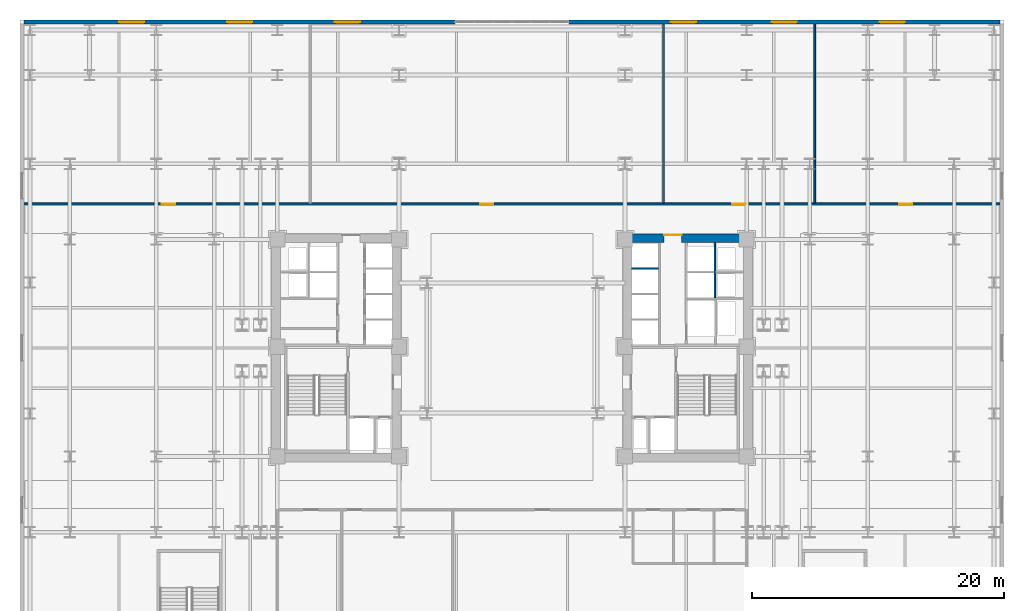
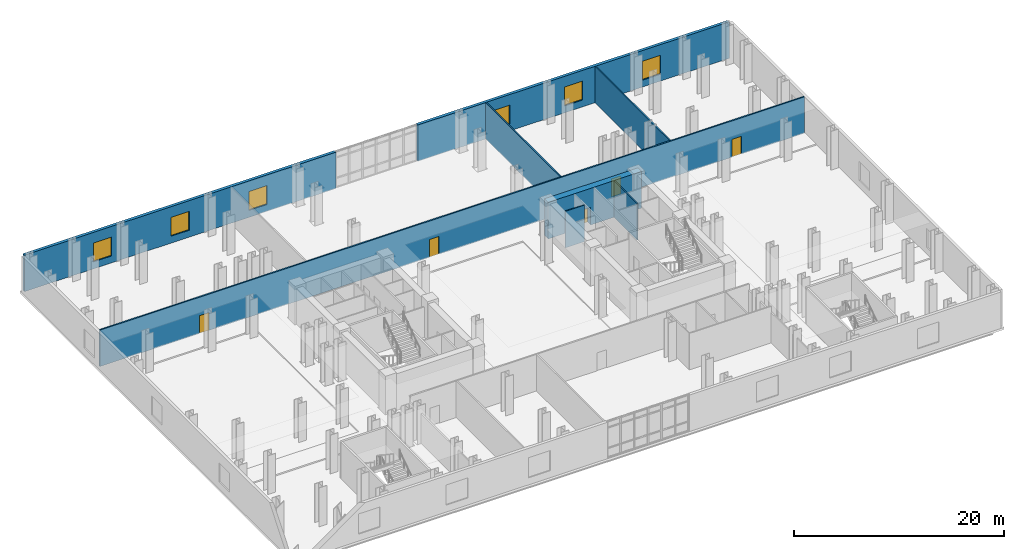
# One storey, part 10 of 15: 8 walls, 6 windows, 5 doors, 11 openings.
"""IFC4 building model written with IfcOpenShell, lengths in metres."""

import ifcopenshell
import ifcopenshell.guid

model = None  # the IFC model being written
_history = None  # IfcOwnerHistory: only IFC2X3 demands one
_inside = {}  # id of a spatial element -> (the spatial element, [elements in it])
_under = {}  # id of a project, library or spatial element -> (it, [spatial elements below it])
_declared = {}  # id of a project -> (the project, [libraries it declares])
_typed = {}  # id of a type object -> (the type object, [elements of that type])
_made_of = {}  # id of a material, layer set ... -> (it, [elements and type objects made of it])


def new_model(schema):
    """Start an empty IFC model of exactly this schema.

    Asked for "IFC4X3", IfcOpenShell would pick the latest addendum, in which some entities
    have other attributes; the version numbers below select the first issue.
    IFC2X3 requires an IfcOwnerHistory on every rooted entity: one is made here for all.
    """
    global model, _history
    if schema == "IFC4X3":
        model = ifcopenshell.file(schema_version=(4, 3, 0, 0))
    else:
        model = ifcopenshell.file(schema=schema)
    _inside.clear()
    _under.clear()
    _declared.clear()
    _typed.clear()
    _made_of.clear()
    _history = None
    if model.schema == "IFC2X3":
        org = make("IfcOrganization", Name="unknown")
        user = make(
            "IfcPersonAndOrganization",
            ThePerson=make("IfcPerson", FamilyName="unknown"),
            TheOrganization=org,
        )
        app = make(
            "IfcApplication",
            ApplicationDeveloper=org,
            Version="unknown",
            ApplicationFullName="unknown",
            ApplicationIdentifier="unknown",
        )
        _history = make(
            "IfcOwnerHistory",
            OwningUser=user,
            OwningApplication=app,
            ChangeAction="ADDED",
            CreationDate=0,
        )
    return model


def make(cls, **values):
    """One entity of the class cls with the attributes given. An attribute that is None is left unset."""
    return model.create_entity(
        cls, **{name: value for name, value in values.items() if value is not None}
    )


def rooted(cls, **values):
    """An entity with a GlobalId (a new one), such as an element, a storey or a relation."""
    return make(cls, GlobalId=ifcopenshell.guid.new(), OwnerHistory=_history, **values)


def si_unit(unit_type, name, prefix=None):
    """IfcSIUnit, for example si_unit("LENGTHUNIT", "METRE", prefix="MILLI")."""
    return make("IfcSIUnit", UnitType=unit_type, Prefix=prefix, Name=name)


def assignment(units):
    """IfcUnitAssignment: the units of a project."""
    return None if units is None else make("IfcUnitAssignment", Units=units)


def point(xyz):
    """IfcCartesianPoint."""
    return None if xyz is None else make("IfcCartesianPoint", Coordinates=xyz)


def direction(xyz):
    """IfcDirection."""
    return None if xyz is None else make("IfcDirection", DirectionRatios=xyz)


def frame(location, z_axis=None, x_axis=None):
    """IfcAxis2Placement3D, a coordinate frame: its origin and axes. An axis left out is left unset."""
    return make(
        "IfcAxis2Placement3D",
        Location=point(location),
        Axis=direction(z_axis),
        RefDirection=direction(x_axis),
    )


def frame_2d(location, x_axis=None):
    """IfcAxis2Placement2D, a coordinate frame in the plane: its origin and x axis."""
    return make(
        "IfcAxis2Placement2D", Location=point(location), RefDirection=direction(x_axis)
    )


def origin():
    """The frame at (0, 0, 0) with its axes left unset."""
    return frame((0.0, 0.0, 0.0))


def place(relative_to, where):
    """IfcLocalPlacement: puts the frame where relative to a parent placement (None: the world)."""
    return make(
        "IfcLocalPlacement", PlacementRelTo=relative_to, RelativePlacement=where
    )


def context(
    kind, dimensions, precision=None, world=None, true_north=None, identifier=None
):
    """IfcGeometricRepresentationContext, for example the 3D "Model" context."""
    return make(
        "IfcGeometricRepresentationContext",
        ContextIdentifier=identifier,
        ContextType=kind,
        CoordinateSpaceDimension=dimensions,
        Precision=precision,
        WorldCoordinateSystem=world,
        TrueNorth=true_north,
    )


def subcontext(parent, identifier, kind, view, scale=None):
    """IfcGeometricRepresentationSubContext, for example "Body" below "Model"."""
    return make(
        "IfcGeometricRepresentationSubContext",
        ContextIdentifier=identifier,
        ContextType=kind,
        ParentContext=parent,
        TargetScale=scale,
        TargetView=view,
    )


def project(units=None, contexts=None):
    """IfcProject with its units and contexts."""
    return rooted(
        "IfcProject",
        Name="project",
        RepresentationContexts=contexts,
        UnitsInContext=assignment(units),
    )


def spatial(cls, under=None, at=None, **own):
    """A site, building, storey or space (cls), placed at a placement, below another one or the project."""
    s = rooted(cls, ObjectPlacement=at, **own)
    if under is not None:
        _under.setdefault(under.id(), (under, []))[1].append(s)
    return s


def profile(cls, at=None, kind="AREA", **sizes):
    """A parametric profile (cls). Its sizes go by their IFC names, for example OverallWidth=200.0."""
    return make(cls, ProfileType=kind, Position=at, **sizes)


def rectangle(**sizes):
    """IfcRectangleProfileDef."""
    return profile("IfcRectangleProfileDef", **sizes)


def extrude(swept, where, along, depth):
    """IfcExtrudedAreaSolid: the profile swept, set in the frame where, extruded along a direction by depth."""
    return make(
        "IfcExtrudedAreaSolid",
        SweptArea=swept,
        Position=where,
        ExtrudedDirection=direction(along),
        Depth=depth,
    )


def shape(context_of_items, identifier, shape_type, items):
    """IfcShapeRepresentation: the items that make up one representation, for example the "Body"."""
    return make(
        "IfcShapeRepresentation",
        ContextOfItems=context_of_items,
        RepresentationIdentifier=identifier,
        RepresentationType=shape_type,
        Items=items,
    )


def material(Name=None, Category=None):
    """IfcMaterial."""
    return make("IfcMaterial", Name=Name, Category=Category)


def layer(
    of_material, thickness, ventilated=None, Name=None, Category=None, Priority=None
):
    """IfcMaterialLayer: one layer of a wall or slab, of a material (None: an air gap)."""
    return make(
        "IfcMaterialLayer",
        Material=of_material,
        LayerThickness=thickness,
        IsVentilated=ventilated,
        Name=Name,
        Category=Category,
        Priority=Priority,
    )


def layer_set(layers, Name=None):
    """IfcMaterialLayerSet."""
    return make("IfcMaterialLayerSet", MaterialLayers=layers, LayerSetName=Name)


def made_of(thing, what):
    """Note that an element or type object is made of a material, layer set ...; save() writes the relation."""
    if what is not None:
        _made_of.setdefault(what.id(), (what, []))[1].append(thing)
    return thing


def type_object(cls, material=None, **own):
    """A type object (cls), such as IfcWallType, which elements share."""
    return made_of(rooted(cls, **own), material)


def element(
    cls,
    number,
    at=None,
    inside=None,
    cuts=None,
    type_object=None,
    material=None,
    context=None,
    identifier="Body",
    shape_type=None,
    held_by="IfcProductDefinitionShape",
    body=None,
    shapes=None,
    **own,
):
    """One element of the class cls, such as IfcWall. Its Tag is "e" and its number.

    at: its placement. inside: the storey or other place that contains it. cuts: it is an
    opening in that element (IfcRelVoidsElement). A single representation is given by context,
    identifier, shape_type and body (its items); several are given by shapes. held_by: the class
    of the entity that holds the representations. save() writes the other relations.
    """
    e = rooted(cls, Tag="e%d" % number, ObjectPlacement=at, **own)
    if body is not None:
        shapes = [shape(context, identifier, shape_type, body)]
    if shapes is not None:
        e.Representation = make(held_by, Representations=shapes)
    if inside is not None:
        _inside.setdefault(inside.id(), (inside, []))[1].append(e)
    if cuts is not None:
        rooted(
            "IfcRelVoidsElement", RelatingBuildingElement=cuts, RelatedOpeningElement=e
        )
    if type_object is not None:
        _typed.setdefault(type_object.id(), (type_object, []))[1].append(e)
    return made_of(e, material)


def fill(opening, filler):
    """IfcRelFillsElement: the door or window that sits in an opening."""
    return rooted(
        "IfcRelFillsElement",
        RelatingOpeningElement=opening,
        RelatedBuildingElement=filler,
    )


def aggregate(whole, parts):
    """IfcRelAggregates: a whole, such as a stair, and the parts it consists of."""
    return rooted("IfcRelAggregates", RelatingObject=whole, RelatedObjects=parts)


def save(model, path):
    """Write the relations noted so far, then the file.

    IfcRelAggregates (storeys below a building ...), IfcRelContainedInSpatialStructure (elements
    in a storey), IfcRelDefinesByType, IfcRelAssociatesMaterial and IfcRelDeclares: one each for
    every whole, place, type object, material and project.
    """
    for whole, parts in _under.values():
        aggregate(whole, parts)
    for where, things in _inside.values():
        rooted(
            "IfcRelContainedInSpatialStructure",
            RelatedElements=things,
            RelatingStructure=where,
        )
    for kind, things in _typed.values():
        rooted("IfcRelDefinesByType", RelatedObjects=things, RelatingType=kind)
    for what, things in _made_of.values():
        rooted("IfcRelAssociatesMaterial", RelatedObjects=things, RelatingMaterial=what)
    for by, libraries in _declared.values():
        rooted("IfcRelDeclares", RelatingContext=by, RelatedDefinitions=libraries)
    model.write(path)


model = new_model("IFC4")

# Units and contexts
model_context = context("Model", 3, precision=1e-05, world=origin(), true_north=direction((0.0, 1.0)))
body_context = subcontext(model_context, "Body", "Model", "MODEL_VIEW")
ifc_project = project(units=[si_unit("LENGTHUNIT", "METRE"), si_unit("AREAUNIT", "SQUARE_METRE"), si_unit("VOLUMEUNIT", "CUBIC_METRE"), si_unit("PLANEANGLEUNIT", "RADIAN"), si_unit("MASSUNIT", "GRAM", prefix="KILO")], contexts=[model_context])

# Site, building, storey
site_placement = place(None, origin())
site = spatial("IfcSite", under=ifc_project, at=site_placement, CompositionType="ELEMENT")
building_placement = place(site_placement, origin())
building = spatial("IfcBuilding", under=site, at=building_placement, Name="Velakula Bourse", CompositionType="ELEMENT")
storey_placement = place(building_placement, frame((0.0, 0.0, 14.10009765625)))
storey = spatial("IfcBuildingStorey", under=building, at=storey_placement, Name="L03", CompositionType="ELEMENT", Elevation=14.10009765625)

# Wall, opening, door
ifc_material_1 = material(Name="Concrete M70 (fck 70 MPa)", Category="concrete")
ifc_layer_1 = layer(ifc_material_1, 0.699951171875, Name="Concrete M70 (fck 70 MPa)", Category="concrete")
ifc_layer_set_1 = layer_set([ifc_layer_1], Name="Concrete M70 (fck 70 MPa)")
wall_type_1 = type_object("IfcWallType", Name="WL-CORE-700", PredefinedType="SHEAR", material=ifc_layer_set_1)
wall_1_placement = place(storey_placement, frame((8.800048828125, 8.699951171875, 0.0), z_axis=(0.0, 0.0, 1.0), x_axis=(1.0, 0.0, 0.0)))
wall_1 = element("IfcWall", 1, at=wall_1_placement, inside=storey, type_object=wall_type_1, Name="L03 Core E Shear Wall N", PredefinedType="SHEAR", context=body_context, shape_type="SweptSolid", body=[
    extrude(rectangle(XDim=10.25, YDim=0.699951171875, at=frame_2d((5.125, 0.0))), origin(), (0.0, 0.0, 1.0), 4.25),
])
opening_1_placement = place(wall_1_placement, frame((3.25, 0.0, 0.0)))
opening_1 = element("IfcOpeningElement", 2, at=opening_1_placement, cuts=wall_1, Name="Opening D-LLE", PredefinedType="OPENING", context=body_context, shape_type="SweptSolid", body=[
    extrude(rectangle(XDim=1.39990234375, YDim=2.050048828125, at=frame_2d((0.699951171875, 1.02490234375))), frame((0.0, 0.35986328125, 0.0), z_axis=(0.0, -1.0, 0.0), x_axis=(1.0, 0.0, 0.0)), (0.0, 0.0, 1.0), 0.719970703125),
])
ifc_material_2 = material(Name="Fire-rated hardwood flush architectural door", Category="wood")
door_type_1 = type_object("IfcDoorType", Name="DR-DBL-FD60-1400", OperationType="DOUBLE_DOOR_SINGLE_SWING", PredefinedType="DOOR", material=ifc_material_2)
door_1_placement = place(opening_1_placement, origin())
door_1 = element("IfcDoor", 3, at=door_1_placement, inside=storey, type_object=door_type_1, Name="L03 Core E Lift Lobby Corridor Double Door", OperationType="DOUBLE_DOOR_SINGLE_SWING", OverallHeight=2.050048828125, OverallWidth=1.39990234375, PredefinedType="DOOR", context=body_context, shape_type="SweptSolid", body=[
    extrude(rectangle(XDim=1.39990234375, YDim=2.050048828125, at=frame_2d((0.699951171875, 1.02490234375))), frame((0.0, 0.294921875, 0.0), z_axis=(0.0, -1.0, 0.0), x_axis=(1.0, 0.0, 0.0)), (0.0, 0.0, 1.0), 0.050048828125),
])
fill(opening_1, door_1)

# Wall, openings, windows
ifc_material_3 = material(Name="Red kilned clay facing brick masonry", Category="masonry")
ifc_layer_2 = layer(ifc_material_3, 0.320068359375, Name="Red kilned clay facing brick masonry", Category="masonry")
ifc_layer_set_2 = layer_set([ifc_layer_2], Name="Red kilned clay facing brick masonry")
wall_type_2 = type_object("IfcWallType", Name="WL-EXT-BRK-320", PredefinedType="STANDARD", material=ifc_layer_set_2)
wall_2_placement = place(storey_placement, frame((-38.679931640625, 25.840087890625, 0.0), z_axis=(0.0, 0.0, 1.0), x_axis=(1.0, 0.0, 0.0)))
wall_2 = element("IfcWall", 4, at=wall_2_placement, inside=storey, type_object=wall_type_2, Name="L03 North Brick Facade Wall 1", PredefinedType="STANDARD", context=body_context, shape_type="SweptSolid", body=[
    extrude(rectangle(XDim=34.179931640625, YDim=0.320068359375, at=frame_2d((17.08984375, 0.0))), origin(), (0.0, 0.0, 1.0), 4.22998046875),
])
opening_2_placement = place(wall_2_placement, frame((7.544921875, 0.0, 0.800048828125)))
opening_2 = element("IfcOpeningElement", 5, at=opening_2_placement, cuts=wall_2, Name="Opening W-07", PredefinedType="OPENING", context=body_context, shape_type="SweptSolid", body=[
    extrude(rectangle(XDim=2.0, YDim=2.199951171875, at=frame_2d((1.0, 1.10009765625))), frame((0.0, 0.169921875, 0.0), z_axis=(0.0, -1.0, 0.0), x_axis=(1.0, 0.0, 0.0)), (0.0, 0.0, 1.0), 0.340087890625),
])
opening_3_placement = place(wall_2_placement, frame((16.090087890625, 0.0, 0.800048828125)))
opening_3 = element("IfcOpeningElement", 6, at=opening_3_placement, cuts=wall_2, Name="Opening W-07", PredefinedType="OPENING", context=body_context, shape_type="SweptSolid", body=[
    extrude(rectangle(XDim=2.0, YDim=2.199951171875, at=frame_2d((1.0, 1.10009765625))), frame((0.0, 0.169921875, 0.0), z_axis=(0.0, -1.0, 0.0), x_axis=(1.0, 0.0, 0.0)), (0.0, 0.0, 1.0), 0.340087890625),
])
opening_4_placement = place(wall_2_placement, frame((24.635009765625, 0.0, 0.800048828125)))
opening_4 = element("IfcOpeningElement", 7, at=opening_4_placement, cuts=wall_2, Name="Opening W-07", PredefinedType="OPENING", context=body_context, shape_type="SweptSolid", body=[
    extrude(rectangle(XDim=2.0, YDim=2.199951171875, at=frame_2d((1.0, 1.10009765625))), frame((0.0, 0.169921875, 0.0), z_axis=(0.0, -1.0, 0.0), x_axis=(1.0, 0.0, 0.0)), (0.0, 0.0, 1.0), 0.340087890625),
])
ifc_material_4 = material(Name="Double-glazed solar-control Low-E glass", Category="glass")
window_type = type_object("IfcWindowType", Name="WIN-POD-2000x2400", PartitioningType="DOUBLE_PANEL_VERTICAL", PredefinedType="WINDOW", material=ifc_material_4)
window_1_placement = place(opening_2_placement, origin())
window_1 = element("IfcWindow", 8, at=window_1_placement, inside=storey, type_object=window_type, Name="L03 Deep-Set Recessed Window 1", OverallHeight=2.199951171875, OverallWidth=2.0, PartitioningType="DOUBLE_PANEL_VERTICAL", PredefinedType="WINDOW", context=body_context, shape_type="SweptSolid", body=[
    extrude(rectangle(XDim=2.0, YDim=2.199951171875, at=frame_2d((1.0, 1.10009765625))), frame((0.0, 0.030029296875, 0.0), z_axis=(0.0, -1.0, 0.0), x_axis=(1.0, 0.0, 0.0)), (0.0, 0.0, 1.0), 0.06005859375),
])
fill(opening_2, window_1)
window_2_placement = place(opening_3_placement, origin())
window_2 = element("IfcWindow", 9, at=window_2_placement, inside=storey, type_object=window_type, Name="L03 Deep-Set Recessed Window 2", OverallHeight=2.199951171875, OverallWidth=2.0, PartitioningType="DOUBLE_PANEL_VERTICAL", PredefinedType="WINDOW", context=body_context, shape_type="SweptSolid", body=[
    extrude(rectangle(XDim=2.0, YDim=2.199951171875, at=frame_2d((1.0, 1.10009765625))), frame((0.0, 0.030029296875, 0.0), z_axis=(0.0, -1.0, 0.0), x_axis=(1.0, 0.0, 0.0)), (0.0, 0.0, 1.0), 0.06005859375),
])
fill(opening_3, window_2)
window_3_placement = place(opening_4_placement, origin())
window_3 = element("IfcWindow", 10, at=window_3_placement, inside=storey, type_object=window_type, Name="L03 Deep-Set Recessed Window 3", OverallHeight=2.199951171875, OverallWidth=2.0, PartitioningType="DOUBLE_PANEL_VERTICAL", PredefinedType="WINDOW", context=body_context, shape_type="SweptSolid", body=[
    extrude(rectangle(XDim=2.0, YDim=2.199951171875, at=frame_2d((1.0, 1.10009765625))), frame((0.0, 0.030029296875, 0.0), z_axis=(0.0, -1.0, 0.0), x_axis=(1.0, 0.0, 0.0)), (0.0, 0.0, 1.0), 0.06005859375),
])
fill(opening_4, window_3)

wall_3_placement = place(storey_placement, frame((4.5, 25.840087890625, 0.0), z_axis=(0.0, 0.0, 1.0), x_axis=(1.0, 0.0, 0.0)))
wall_3 = element("IfcWall", 11, at=wall_3_placement, inside=storey, type_object=wall_type_2, Name="L03 North Brick Facade Wall 3", PredefinedType="STANDARD", context=body_context, shape_type="SweptSolid", body=[
    extrude(rectangle(XDim=34.179931640625, YDim=0.320068359375, at=frame_2d((17.08984375, 0.0))), origin(), (0.0, 0.0, 1.0), 4.22998046875),
])
opening_5_placement = place(wall_3_placement, frame((8.094970703125, 0.0, 0.800048828125)))
opening_5 = element("IfcOpeningElement", 12, at=opening_5_placement, cuts=wall_3, Name="Opening W-07", PredefinedType="OPENING", context=body_context, shape_type="SweptSolid", body=[
    extrude(rectangle(XDim=2.0, YDim=2.199951171875, at=frame_2d((1.0, 1.10009765625))), frame((0.0, 0.169921875, 0.0), z_axis=(0.0, -1.0, 0.0), x_axis=(1.0, 0.0, 0.0)), (0.0, 0.0, 1.0), 0.340087890625),
])
opening_6_placement = place(wall_3_placement, frame((16.090087890625, 0.0, 0.800048828125)))
opening_6 = element("IfcOpeningElement", 13, at=opening_6_placement, cuts=wall_3, Name="Opening W-07", PredefinedType="OPENING", context=body_context, shape_type="SweptSolid", body=[
    extrude(rectangle(XDim=2.0, YDim=2.199951171875, at=frame_2d((1.0, 1.10009765625))), frame((0.0, 0.169921875, 0.0), z_axis=(0.0, -1.0, 0.0), x_axis=(1.0, 0.0, 0.0)), (0.0, 0.0, 1.0), 0.340087890625),
])
opening_7_placement = place(wall_3_placement, frame((24.635009765625, 0.0, 0.800048828125)))
opening_7 = element("IfcOpeningElement", 14, at=opening_7_placement, cuts=wall_3, Name="Opening W-07", PredefinedType="OPENING", context=body_context, shape_type="SweptSolid", body=[
    extrude(rectangle(XDim=2.0, YDim=2.199951171875, at=frame_2d((1.0, 1.10009765625))), frame((0.0, 0.169921875, 0.0), z_axis=(0.0, -1.0, 0.0), x_axis=(1.0, 0.0, 0.0)), (0.0, 0.0, 1.0), 0.340087890625),
])
window_4_placement = place(opening_5_placement, origin())
window_4 = element("IfcWindow", 15, at=window_4_placement, inside=storey, type_object=window_type, Name="L03 Deep-Set Recessed Window 1", OverallHeight=2.199951171875, OverallWidth=2.0, PartitioningType="DOUBLE_PANEL_VERTICAL", PredefinedType="WINDOW", context=body_context, shape_type="SweptSolid", body=[
    extrude(rectangle(XDim=2.0, YDim=2.199951171875, at=frame_2d((1.0, 1.10009765625))), frame((0.0, 0.030029296875, 0.0), z_axis=(0.0, -1.0, 0.0), x_axis=(1.0, 0.0, 0.0)), (0.0, 0.0, 1.0), 0.06005859375),
])
fill(opening_5, window_4)
window_5_placement = place(opening_6_placement, origin())
window_5 = element("IfcWindow", 16, at=window_5_placement, inside=storey, type_object=window_type, Name="L03 Deep-Set Recessed Window 2", OverallHeight=2.199951171875, OverallWidth=2.0, PartitioningType="DOUBLE_PANEL_VERTICAL", PredefinedType="WINDOW", context=body_context, shape_type="SweptSolid", body=[
    extrude(rectangle(XDim=2.0, YDim=2.199951171875, at=frame_2d((1.0, 1.10009765625))), frame((0.0, 0.030029296875, 0.0), z_axis=(0.0, -1.0, 0.0), x_axis=(1.0, 0.0, 0.0)), (0.0, 0.0, 1.0), 0.06005859375),
])
fill(opening_6, window_5)
window_6_placement = place(opening_7_placement, origin())
window_6 = element("IfcWindow", 17, at=window_6_placement, inside=storey, type_object=window_type, Name="L03 Deep-Set Recessed Window 3", OverallHeight=2.199951171875, OverallWidth=2.0, PartitioningType="DOUBLE_PANEL_VERTICAL", PredefinedType="WINDOW", context=body_context, shape_type="SweptSolid", body=[
    extrude(rectangle(XDim=2.0, YDim=2.199951171875, at=frame_2d((1.0, 1.10009765625))), frame((0.0, 0.030029296875, 0.0), z_axis=(0.0, -1.0, 0.0), x_axis=(1.0, 0.0, 0.0)), (0.0, 0.0, 1.0), 0.06005859375),
])
fill(opening_7, window_6)

# Walls
ifc_material_5 = material(Name="Fire-rated double-layer gypsum drywall partition", Category="gypsum")
ifc_layer_3 = layer(ifc_material_5, 0.1201171875, Name="Fire-rated double-layer gypsum drywall partition", Category="gypsum")
ifc_layer_set_3 = layer_set([ifc_layer_3], Name="Fire-rated double-layer gypsum drywall partition")
wall_type_3 = type_object("IfcWallType", Name="WL-PART-120", PredefinedType="STANDARD", material=ifc_layer_set_3)
wall_4_placement = place(storey_placement, frame((9.5, 6.31494140625, 0.0), z_axis=(0.0, 0.0, 1.0), x_axis=(1.0, 0.0, 0.0)))
element("IfcWall", 18, at=wall_4_placement, inside=storey, type_object=wall_type_3, Name="L03 Interior Partition WL-CRE-L03-BDIV-2", PredefinedType="STANDARD", context=body_context, shape_type="SweptSolid", body=[
    extrude(rectangle(XDim=2.10009765625, YDim=0.110107421875, at=frame_2d((1.050048828125, 0.0))), origin(), (0.0, 0.0, 1.0), 4.22998046875),
])
wall_5_placement = place(storey_placement, frame((16.074951171875, 3.97998046875, 0.0), z_axis=(0.0, 0.0, 1.0), x_axis=(0.0, 1.0, 0.0)))
element("IfcWall", 19, at=wall_5_placement, inside=storey, type_object=wall_type_3, Name="L03 Interior Partition WL-CRE-L03-RIS-F", PredefinedType="STANDARD", context=body_context, shape_type="SweptSolid", body=[
    extrude(rectangle(XDim=4.3701171875, YDim=0.1201171875, at=frame_2d((2.18505859375, 0.0))), origin(), (0.0, 0.0, 1.0), 4.22998046875),
])

# Wall, openings, doors
ifc_layer_4 = layer(ifc_material_5, 0.139892578125, Name="Fire-rated double-layer gypsum drywall partition", Category="gypsum")
ifc_layer_set_4 = layer_set([ifc_layer_4], Name="Fire-rated double-layer gypsum drywall partition")
wall_type_4 = type_object("IfcWallType", Name="WL-PART-140", PredefinedType="STANDARD", material=ifc_layer_set_4)
wall_6_placement = place(storey_placement, frame((-38.679931640625, 11.419921875, 0.0), z_axis=(0.0, 0.0, 1.0), x_axis=(1.0, 0.0, 0.0)))
wall_6 = element("IfcWall", 20, at=wall_6_placement, inside=storey, type_object=wall_type_4, Name="L03 Interior Partition WL-POD-L03-N-CORR", PredefinedType="STANDARD", context=body_context, shape_type="SweptSolid", body=[
    extrude(rectangle(XDim=77.35986328125, YDim=0.14990234375, at=frame_2d((38.679931640625, 0.0))), origin(), (0.0, 0.0, 1.0), 4.22998046875),
])
opening_8_placement = place(wall_6_placement, frame((10.93603515625, 0.0, 0.0)))
opening_8 = element("IfcOpeningElement", 21, at=opening_8_placement, cuts=wall_6, Name="Opening D-PD1", PredefinedType="OPENING", context=body_context, shape_type="SweptSolid", body=[
    extrude(rectangle(XDim=1.050048828125, YDim=2.080078125, at=frame_2d((0.52490234375, 1.0400390625))), frame((0.0, 0.0849609375, 0.0), z_axis=(0.0, -1.0, 0.0), x_axis=(1.0, 0.0, 0.0)), (0.0, 0.0, 1.0), 0.169921875),
])
opening_9_placement = place(wall_6_placement, frame((36.155029296875, 0.0, 0.0)))
opening_9 = element("IfcOpeningElement", 22, at=opening_9_placement, cuts=wall_6, Name="Opening D-PD1", PredefinedType="OPENING", context=body_context, shape_type="SweptSolid", body=[
    extrude(rectangle(XDim=1.050048828125, YDim=2.080078125, at=frame_2d((0.52490234375, 1.0400390625))), frame((0.0, 0.0849609375, 0.0), z_axis=(0.0, -1.0, 0.0), x_axis=(1.0, 0.0, 0.0)), (0.0, 0.0, 1.0), 0.169921875),
])
opening_10_placement = place(wall_6_placement, frame((56.155029296875, 0.0, 0.0)))
opening_10 = element("IfcOpeningElement", 23, at=opening_10_placement, cuts=wall_6, Name="Opening D-PD1", PredefinedType="OPENING", context=body_context, shape_type="SweptSolid", body=[
    extrude(rectangle(XDim=1.050048828125, YDim=2.080078125, at=frame_2d((0.52490234375, 1.0400390625))), frame((0.0, 0.0849609375, 0.0), z_axis=(0.0, -1.0, 0.0), x_axis=(1.0, 0.0, 0.0)), (0.0, 0.0, 1.0), 0.169921875),
])
opening_11_placement = place(wall_6_placement, frame((69.3740234375, 0.0, 0.0)))
opening_11 = element("IfcOpeningElement", 24, at=opening_11_placement, cuts=wall_6, Name="Opening D-PD1", PredefinedType="OPENING", context=body_context, shape_type="SweptSolid", body=[
    extrude(rectangle(XDim=1.050048828125, YDim=2.080078125, at=frame_2d((0.52490234375, 1.0400390625))), frame((0.0, 0.0849609375, 0.0), z_axis=(0.0, -1.0, 0.0), x_axis=(1.0, 0.0, 0.0)), (0.0, 0.0, 1.0), 0.169921875),
])
door_type_2 = type_object("IfcDoorType", Name="DR-OFF-1050", OperationType="NOTDEFINED", PredefinedType="DOOR", material=ifc_material_2)
door_2_placement = place(opening_8_placement, origin())
door_2 = element("IfcDoor", 25, at=door_2_placement, inside=storey, type_object=door_type_2, Name="L03 Exchange Plenary Auditorium Door", OperationType="SINGLE_SWING_LEFT", OverallHeight=2.080078125, OverallWidth=1.050048828125, PredefinedType="DOOR", context=body_context, shape_type="SweptSolid", body=[
    extrude(rectangle(XDim=1.050048828125, YDim=2.080078125, at=frame_2d((0.52490234375, 1.0400390625))), frame((0.0, 0.02490234375, 0.0), z_axis=(0.0, -1.0, 0.0), x_axis=(1.0, 0.0, 0.0)), (0.0, 0.0, 1.0), 0.050048828125),
])
fill(opening_8, door_2)
door_3_placement = place(opening_9_placement, origin())
door_3 = element("IfcDoor", 26, at=door_3_placement, inside=storey, type_object=door_type_2, Name="L03 Opening-Bell Broadcast Studio Door", OperationType="SINGLE_SWING_RIGHT", OverallHeight=2.080078125, OverallWidth=1.050048828125, PredefinedType="DOOR", context=body_context, shape_type="SweptSolid", body=[
    extrude(rectangle(XDim=1.050048828125, YDim=2.080078125, at=frame_2d((0.52490234375, 1.0400390625))), frame((0.0, 0.02490234375, 0.0), z_axis=(0.0, -1.0, 0.0), x_axis=(1.0, 0.0, 0.0)), (0.0, 0.0, 1.0), 0.050048828125),
])
fill(opening_9, door_3)
door_4_placement = place(opening_10_placement, origin())
door_4 = element("IfcDoor", 27, at=door_4_placement, inside=storey, type_object=door_type_2, Name="L03 Members Catering Pantry Door", OperationType="SINGLE_SWING_LEFT", OverallHeight=2.080078125, OverallWidth=1.050048828125, PredefinedType="DOOR", context=body_context, shape_type="SweptSolid", body=[
    extrude(rectangle(XDim=1.050048828125, YDim=2.080078125, at=frame_2d((0.52490234375, 1.0400390625))), frame((0.0, 0.02490234375, 0.0), z_axis=(0.0, -1.0, 0.0), x_axis=(1.0, 0.0, 0.0)), (0.0, 0.0, 1.0), 0.050048828125),
])
fill(opening_10, door_4)
door_5_placement = place(opening_11_placement, origin())
door_5 = element("IfcDoor", 28, at=door_5_placement, inside=storey, type_object=door_type_2, Name="L03 Broadcast Control Room Door", OperationType="SINGLE_SWING_RIGHT", OverallHeight=2.080078125, OverallWidth=1.050048828125, PredefinedType="DOOR", context=body_context, shape_type="SweptSolid", body=[
    extrude(rectangle(XDim=1.050048828125, YDim=2.080078125, at=frame_2d((0.52490234375, 1.0400390625))), frame((0.0, 0.02490234375, 0.0), z_axis=(0.0, -1.0, 0.0), x_axis=(1.0, 0.0, 0.0)), (0.0, 0.0, 1.0), 0.050048828125),
])
fill(opening_11, door_5)

# Walls
for number, where, z_axis, x_axis, name in (
    (29, (12.0, 11.489990234375, 0.0), (0.0, 0.0, 1.0), (0.0, 1.0, 0.0), "L03 Interior Partition WL-POD-L03-ND2"),
    (30, (24.0, 11.489990234375, 0.0), (0.0, 0.0, 1.0), (0.0, 1.0, 0.0), "L03 Interior Partition WL-POD-L03-ND3"),
):
    element("IfcWall", number, at=place(storey_placement, frame(where, z_axis=z_axis, x_axis=x_axis)), inside=storey, type_object=wall_type_4, Name=name, PredefinedType="STANDARD", context=body_context, shape_type="SweptSolid", body=[
        extrude(rectangle(XDim=14.18994140625, YDim=0.139892578125, at=frame_2d((7.094970703125, 0.0))), origin(), (0.0, 0.0, 1.0), 4.22998046875),
    ])

save(model, "model.ifc")
